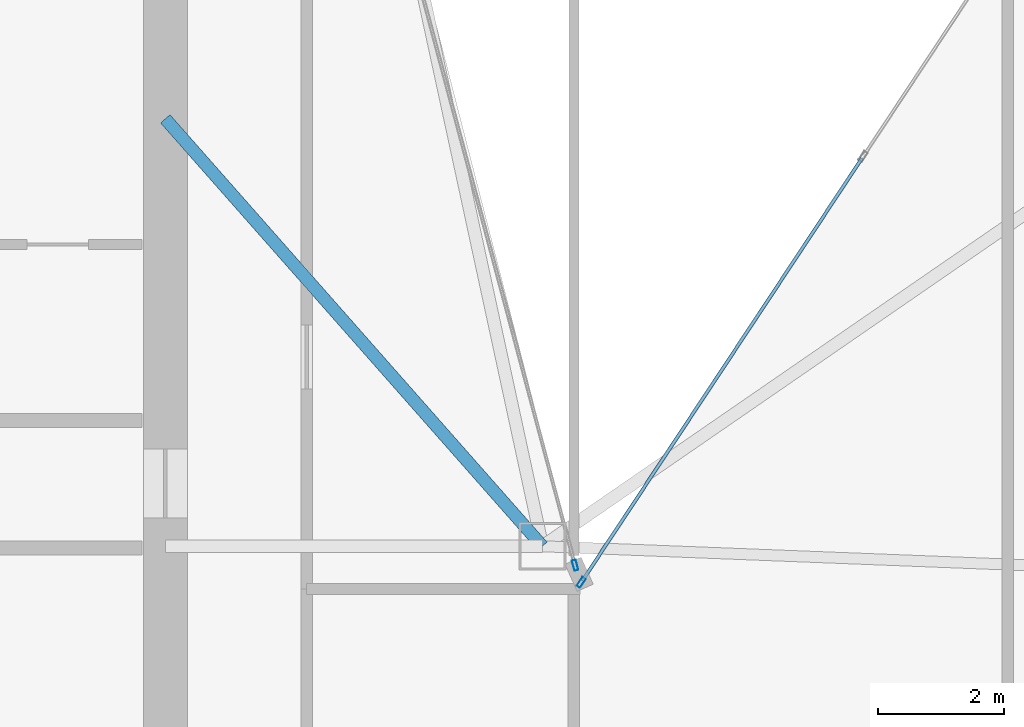
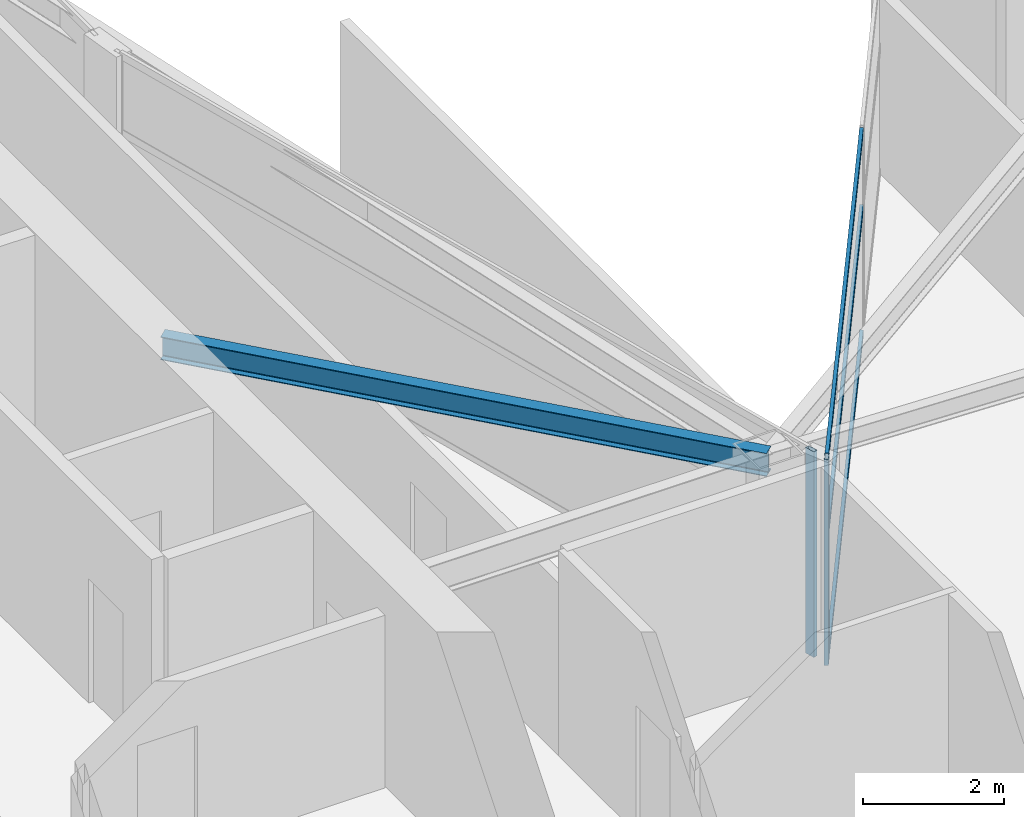
# One storey, part 11 of 28: 5 members, 1 beam, 2 elements without a shape of their own.
"""IFC4 building model written with IfcOpenShell, lengths in metres."""

from ifc_helpers import new_model, si_unit, direction, frame, origin, origin_2d, place, context, subcontext, project, spatial, hollow_rectangle, i_section, extrude, material, layer, layer_set, material_profile, profile_set, type_object, element, aggregate, save


model = new_model("IFC4")

# Units and contexts
model_context = context("Model", 3, precision=1e-05, world=origin(), true_north=direction((0.0, 1.0)))
body_context = subcontext(model_context, "Body", "Model", "MODEL_VIEW")
ifc_project = project(units=[si_unit("LENGTHUNIT", "METRE"), si_unit("AREAUNIT", "SQUARE_METRE"), si_unit("VOLUMEUNIT", "CUBIC_METRE"), si_unit("PLANEANGLEUNIT", "RADIAN"), si_unit("MASSUNIT", "GRAM", prefix="KILO")], contexts=[model_context])

# Site, building, storey
site_placement = place(None, origin())
site = spatial("IfcSite", under=ifc_project, at=site_placement, CompositionType="ELEMENT")
building_placement = place(site_placement, origin())
building = spatial("IfcBuilding", under=site, at=building_placement, Name="Calvorn Quay Hotel", CompositionType="ELEMENT")
storey_placement = place(building_placement, frame((0.0, 0.0, 263.5)))
storey = spatial("IfcBuildingStorey", under=building, at=storey_placement, Name="L65", CompositionType="ELEMENT", Elevation=263.5)

# Beam
ifc_material_1 = material(Name="Steel Q355B", Category="steel")
ifc_material_profile_1 = material_profile(ifc_material_1, i_section(OverallWidth=0.199951171875, OverallDepth=0.39990234375, WebThickness=0.008056640625, FlangeThickness=0.012939453125, FilletRadius=0.01611328125, at=origin_2d()), Name="HN400x200x8x13")
ifc_profile_set_1 = profile_set([ifc_material_profile_1], Name="Steel Q355B")
beam_type = type_object("IfcBeamType", Name="BM-JOIST-TYP", PredefinedType="JOIST", material=ifc_profile_set_1)
beam_placement = place(storey_placement, frame((15.0, 31.800048828125, 3.340087890625), z_axis=(0.661618965899, -0.749840212287, 0.0), x_axis=(0.749840212287, 0.661618965899, 0.0)))
element("IfcBeam", 1, at=beam_placement, inside=storey, type_object=beam_type, Name="Beam BJ-L65-C1", PredefinedType="JOIST", context=body_context, shape_type="SweptSolid", body=[
    extrude(i_section(OverallWidth=0.199951171875, OverallDepth=0.39990234375, WebThickness=0.008056640625, FlangeThickness=0.012939453125, FilletRadius=0.01611328125, at=origin_2d()), origin(), (0.0, 0.0, 1.0), 9.068603515625),
])

# Curtain wall, member
ifc_material_2 = material(Name="Champagne Bronze Anodised Aluminium and Low-E Glass", Category="aluminium")
ifc_layer = layer(ifc_material_2, 0.219970703125)
ifc_layer_set = layer_set([ifc_layer], Name="CW-SYS-Z4")
curtain_wall_type = type_object("IfcCurtainWallType", Name="CW-SYS-Z4", PredefinedType="NOTDEFINED", material=ifc_layer_set)
curtain_wall_1_placement = place(storey_placement, origin())
curtain_wall_1 = element("IfcCurtainWall", 2, at=curtain_wall_1_placement, inside=storey, type_object=curtain_wall_type, Name="Inner Court Curtain Wall L65-NE1", PredefinedType="NOTDEFINED")
ifc_material_3 = material(Name="Champagne Bronze Anodised Aluminium 6063-T6", Category="aluminium")
ifc_material_profile_2 = material_profile(ifc_material_3, hollow_rectangle(XDim=0.06494140625, YDim=0.169921875, WallThickness=0.00341796875, at=origin_2d()), Name="ALU-M170x65x3.5")
ifc_profile_set_2 = profile_set([ifc_material_profile_2], Name="Champagne Bronze Anodised Aluminium 6063-T6")
member_type_1 = type_object("IfcMemberType", Name="CW-SYS-Z4-MUL", PredefinedType="MULLION", material=ifc_profile_set_2)
member_1_placement = place(storey_placement, frame((21.616455078125, 24.425048828125, 0.0), z_axis=(0.0, 0.0, 1.0), x_axis=(0.833932205724, -0.551866900852, 0.0)))
member_1 = element("IfcMember", 3, at=member_1_placement, type_object=member_type_1, Name="CW-L65-NE1 mullion 3", PredefinedType="MULLION", context=body_context, shape_type="SweptSolid", body=[
    extrude(hollow_rectangle(XDim=0.06494140625, YDim=0.169921875, WallThickness=0.00341796875, at=origin_2d()), origin(), (0.0, 0.0, 1.0), 3.56005859375),
])

curtain_wall_2_placement = place(storey_placement, origin())
curtain_wall_2 = element("IfcCurtainWall", 4, at=curtain_wall_2_placement, inside=storey, type_object=curtain_wall_type, Name="Inner Court Curtain Wall L65-IC1", PredefinedType="NOTDEFINED")
member_2_placement = place(storey_placement, frame((21.520263671875, 24.698974609375, 0.0), z_axis=(0.0, 0.0, 1.0), x_axis=(-0.96593652056, -0.25877913024, 0.0)))
member_2 = element("IfcMember", 5, at=member_2_placement, type_object=member_type_1, Name="CW-L65-IC1 mullion 1", PredefinedType="MULLION", context=body_context, shape_type="SweptSolid", body=[
    extrude(hollow_rectangle(XDim=0.06494140625, YDim=0.169921875, WallThickness=0.00341796875, at=origin_2d()), origin(), (0.0, 0.0, 1.0), 3.56005859375),
])
aggregate(curtain_wall_2, [member_2])

# Member
ifc_material_4 = material(Name="Champagne Bronze Anodised Aluminium 6063-T6", Category="aluminium")
ifc_material_profile_3 = material_profile(ifc_material_4, hollow_rectangle(XDim=0.054931640625, YDim=0.1298828125, WallThickness=0.003173828125, at=origin_2d()), Name="ALU-T130x55x3.2")
ifc_profile_set_3 = profile_set([ifc_material_profile_3], Name="Champagne Bronze Anodised Aluminium 6063-T6")
member_type_2 = type_object("IfcMemberType", Name="CW-SYS-Z4-TRN", PredefinedType="USERDEFINED", material=ifc_profile_set_3)
member_3_placement = place(storey_placement, frame((26.08349609375, 31.175048828125, 0.030029296875), z_axis=(-0.551867520082, -0.833931795939, 0.0), x_axis=(0.833931795939, -0.551867520082, 0.0)))
member_3 = element("IfcMember", 6, at=member_3_placement, type_object=member_type_2, Name="CW-L65-NE1 transom 2.1", ObjectType="TRANSOM", PredefinedType="USERDEFINED", context=body_context, shape_type="SweptSolid", body=[
    extrude(hollow_rectangle(XDim=0.054931640625, YDim=0.1298828125, WallThickness=0.003173828125, at=origin_2d()), origin(), (0.0, 0.0, 1.0), 8.064208984375),
])

member_4_placement = place(storey_placement, frame((26.08349609375, 31.175048828125, 2.199951171875), z_axis=(-0.551867520082, -0.833931795939, 0.0), x_axis=(0.833931795939, -0.551867520082, 0.0)))
member_4 = element("IfcMember", 7, at=member_4_placement, type_object=member_type_2, Name="CW-L65-NE1 transom 2.2", ObjectType="TRANSOM", PredefinedType="USERDEFINED", context=body_context, shape_type="SweptSolid", body=[
    extrude(hollow_rectangle(XDim=0.054931640625, YDim=0.1298828125, WallThickness=0.003173828125, at=origin_2d()), origin(), (0.0, 0.0, 1.0), 8.064208984375),
])

member_5_placement = place(storey_placement, frame((26.08349609375, 31.175048828125, 3.530029296875), z_axis=(-0.551867520082, -0.833931795939, 0.0), x_axis=(0.833931795939, -0.551867520082, 0.0)))
member_5 = element("IfcMember", 8, at=member_5_placement, type_object=member_type_2, Name="CW-L65-NE1 transom 2.3", ObjectType="TRANSOM", PredefinedType="USERDEFINED", context=body_context, shape_type="SweptSolid", body=[
    extrude(hollow_rectangle(XDim=0.054931640625, YDim=0.1298828125, WallThickness=0.003173828125, at=origin_2d()), origin(), (0.0, 0.0, 1.0), 8.064208984375),
])

aggregate(curtain_wall_1, [member_1, member_3, member_4, member_5])

save(model, "model.ifc")
